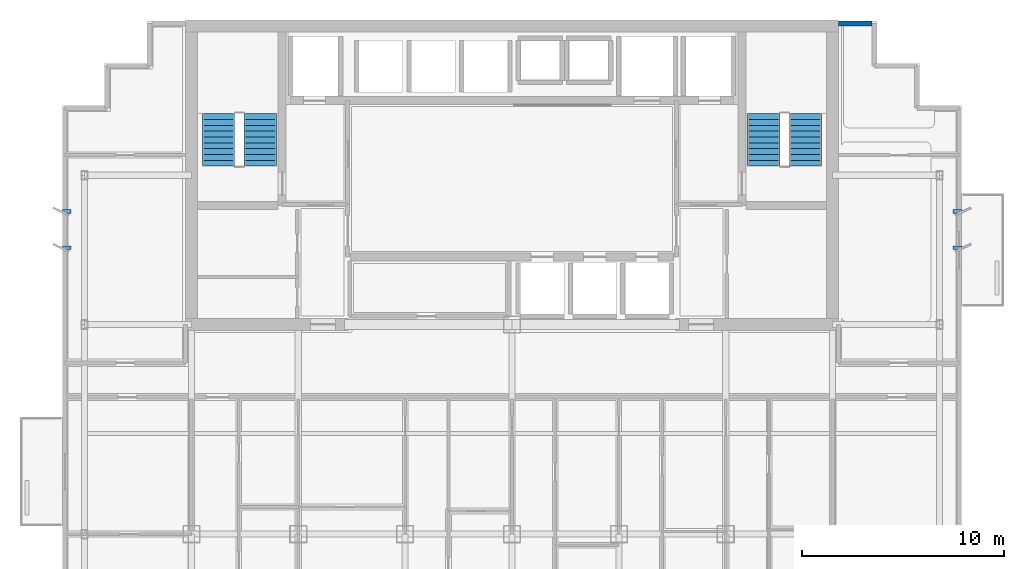
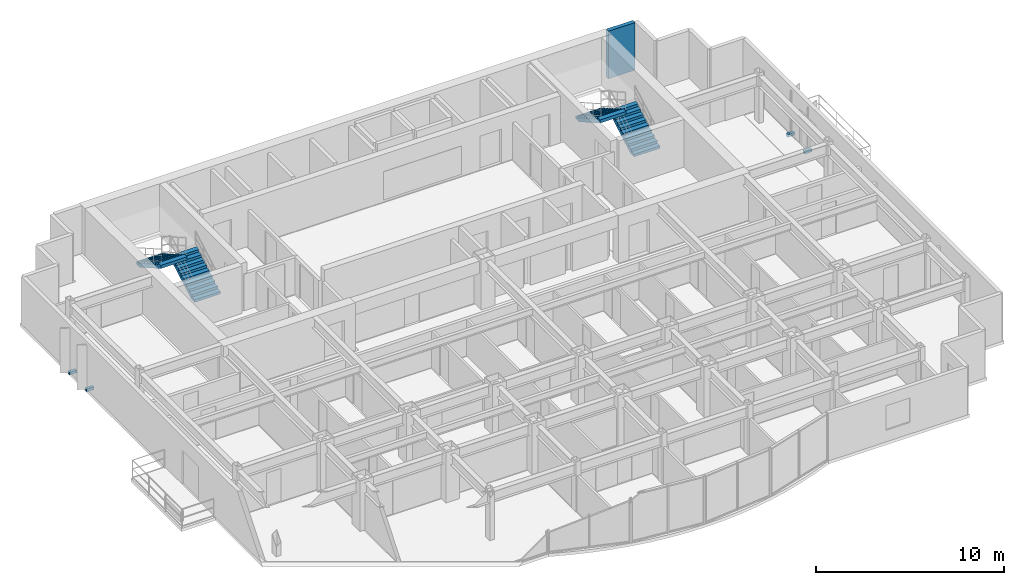
# One storey, part 9 of 11: 4 discrete accessories, 4 stair flights, 1 wall, 2 elements without a shape of their own.
"""IFC4 building model written with IfcOpenShell, lengths in metres."""

from ifc_helpers import new_model, si_unit, direction, frame, frame_2d, origin, origin_2d, place, context, subcontext, project, spatial, polyline, rectangle, outline, extrude, source, transform, mapped, material, layer, layer_set, type_object, element, aggregate, save


model = new_model("IFC4")

# Units and contexts
model_context = context("Model", 3, precision=1e-05, world=origin(), true_north=direction((0.0, 1.0)))
body_context = subcontext(model_context, "Body", "Model", "MODEL_VIEW")
ifc_project = project(units=[si_unit("LENGTHUNIT", "METRE"), si_unit("AREAUNIT", "SQUARE_METRE"), si_unit("VOLUMEUNIT", "CUBIC_METRE"), si_unit("PLANEANGLEUNIT", "RADIAN"), si_unit("MASSUNIT", "GRAM", prefix="KILO")], contexts=[model_context])

# Site, building, storey
site_placement = place(None, origin())
site = spatial("IfcSite", under=ifc_project, at=site_placement, CompositionType="ELEMENT")
building_placement = place(site_placement, origin())
building = spatial("IfcBuilding", under=site, at=building_placement, Name="Qianlan Lanfeng Residences", CompositionType="ELEMENT")
storey_placement = place(building_placement, frame((0.0, 0.0, 175.5)))
storey = spatial("IfcBuildingStorey", under=building, at=storey_placement, Name="L48", CompositionType="ELEMENT", Elevation=175.5)

# Wall
ifc_material_1 = material(Name="Concrete C42", Category="concrete")
ifc_layer = layer(ifc_material_1, 0.239990234375)
ifc_layer_set = layer_set([ifc_layer], Name="Concrete C42")
wall_type = type_object("IfcWallType", Name="EW-240", PredefinedType="SOLIDWALL", material=ifc_layer_set)
wall_placement = place(storey_placement, frame((44.35009765625, 40.1298828125, 0.0), z_axis=(0.0, 0.0, 1.0), x_axis=(-1.0, 0.0, 0.0)))
element("IfcWall", 1, at=wall_placement, inside=storey, type_object=wall_type, Name="L48 North Wing Exterior Wall E", PredefinedType="SOLIDWALL", context=body_context, shape_type="SweptSolid", body=[
    extrude(rectangle(XDim=1.650146484375, YDim=0.239990234375, at=frame_2d((0.8251953125, 0.0))), origin(), (0.0, 0.0, 1.0), 3.10009765625),
])

# Stair, stair flights
stair_type = type_object("IfcStairType", Name="STR-MAIN", PredefinedType="HALF_TURN_STAIR", material=ifc_material_1)
stair_1_placement = place(storey_placement, origin())
stair_1 = element("IfcStair", 2, at=stair_1_placement, inside=storey, type_object=stair_type, Name="L48 Exit Stair ST-1", PredefinedType="HALF_TURN_STAIR")
stair_flight_type = type_object("IfcStairFlightType", Name="FLT-1720", PredefinedType="STRAIGHT", material=ifc_material_1)
stair_flight_1_placement = place(storey_placement, frame((14.02001953125, 33.050048828125, 0.0), z_axis=(0.0, 0.0, 1.0), x_axis=(0.0, 1.0, 0.0)))
stair_flight_1 = element("IfcStairFlight", 3, at=stair_flight_1_placement, type_object=stair_flight_type, Name="ST-1 flight 1", NumberOfRisers=10, NumberOfTreads=9, PredefinedType="STRAIGHT", RiserHeight=0.165, TreadLength=0.29, context=body_context, shape_type="SweptSolid", body=[
    extrude(outline(polyline([(0.0, 0.0), (0.0, 0.1650390625), (0.2900390625, 0.1650390625), (0.2900390625, 0.330078125), (0.580078125, 0.330078125), (0.580078125, 0.4951171875), (0.8701171875, 0.4951171875), (0.8701171875, 0.659912109375), (1.159912109375, 0.659912109375), (1.159912109375, 0.824951171875), (1.449951171875, 0.824951171875), (1.449951171875, 0.989990234375), (1.739990234375, 0.989990234375), (1.739990234375, 1.155029296875), (2.030029296875, 1.155029296875), (2.030029296875, 1.320068359375), (2.320068359375, 1.320068359375), (2.320068359375, 1.485107421875), (2.610107421875, 1.485107421875), (2.610107421875, 1.64990234375), (2.610107421875, 1.278076171875), (0.36376953125, 0.0), (0.0, 0.0)])), frame((0.0, 0.800048828125, 0.0), z_axis=(0.0, -1.0, 0.0), x_axis=(1.0, 0.0, 0.0)), (0.0, 0.0, 1.0), 1.60009765625),
])
stair_flight_2_placement = place(storey_placement, frame((11.93994140625, 35.659912109375, 1.64990234375), z_axis=(0.0, 0.0, 1.0), x_axis=(0.0, -1.0, 0.0)))
stair_flight_2 = element("IfcStairFlight", 4, at=stair_flight_2_placement, type_object=stair_flight_type, Name="ST-1 flight 2", NumberOfRisers=10, NumberOfTreads=9, PredefinedType="STRAIGHT", RiserHeight=0.165, TreadLength=0.29, context=body_context, shape_type="SweptSolid", body=[
    extrude(outline(polyline([(0.0, 0.0), (0.0, 0.1650390625), (0.2900390625, 0.1650390625), (0.2900390625, 0.330078125), (0.580078125, 0.330078125), (0.580078125, 0.4951171875), (0.8701171875, 0.4951171875), (0.8701171875, 0.659912109375), (1.159912109375, 0.659912109375), (1.159912109375, 0.824951171875), (1.449951171875, 0.824951171875), (1.449951171875, 0.989990234375), (1.739990234375, 0.989990234375), (1.739990234375, 1.155029296875), (2.030029296875, 1.155029296875), (2.030029296875, 1.320068359375), (2.320068359375, 1.320068359375), (2.320068359375, 1.485107421875), (2.610107421875, 1.485107421875), (2.610107421875, 1.64990234375), (2.610107421875, 1.278076171875), (0.36376953125, 0.0), (0.0, 0.0)])), frame((0.0, 0.800048828125, 0.0), z_axis=(0.0, -1.0, 0.0), x_axis=(1.0, 0.0, 0.0)), (0.0, 0.0, 1.0), 1.60009765625),
])
aggregate(stair_1, [stair_flight_1, stair_flight_2])

stair_2_placement = place(storey_placement, origin())
stair_2 = element("IfcStair", 5, at=stair_2_placement, inside=storey, type_object=stair_type, Name="L48 Exit Stair ST-2", PredefinedType="HALF_TURN_STAIR")
stair_flight_3_placement = place(storey_placement, frame((41.06005859375, 33.050048828125, 0.0), z_axis=(0.0, 0.0, 1.0), x_axis=(0.0, 1.0, 0.0)))
stair_flight_3 = element("IfcStairFlight", 6, at=stair_flight_3_placement, type_object=stair_flight_type, Name="ST-2 flight 1", NumberOfRisers=10, NumberOfTreads=9, PredefinedType="STRAIGHT", RiserHeight=0.165, TreadLength=0.29, context=body_context, shape_type="SweptSolid", body=[
    extrude(outline(polyline([(0.0, 0.0), (0.0, 0.1650390625), (0.2900390625, 0.1650390625), (0.2900390625, 0.330078125), (0.580078125, 0.330078125), (0.580078125, 0.4951171875), (0.8701171875, 0.4951171875), (0.8701171875, 0.659912109375), (1.159912109375, 0.659912109375), (1.159912109375, 0.824951171875), (1.449951171875, 0.824951171875), (1.449951171875, 0.989990234375), (1.739990234375, 0.989990234375), (1.739990234375, 1.155029296875), (2.030029296875, 1.155029296875), (2.030029296875, 1.320068359375), (2.320068359375, 1.320068359375), (2.320068359375, 1.485107421875), (2.610107421875, 1.485107421875), (2.610107421875, 1.64990234375), (2.610107421875, 1.278076171875), (0.36376953125, 0.0), (0.0, 0.0)])), frame((0.0, 0.800048828125, 0.0), z_axis=(0.0, -1.0, 0.0), x_axis=(1.0, 0.0, 0.0)), (0.0, 0.0, 1.0), 1.60009765625),
])
stair_flight_4_placement = place(storey_placement, frame((38.97998046875, 35.659912109375, 1.64990234375), z_axis=(0.0, 0.0, 1.0), x_axis=(0.0, -1.0, 0.0)))
stair_flight_4 = element("IfcStairFlight", 7, at=stair_flight_4_placement, type_object=stair_flight_type, Name="ST-2 flight 2", NumberOfRisers=10, NumberOfTreads=9, PredefinedType="STRAIGHT", RiserHeight=0.165, TreadLength=0.29, context=body_context, shape_type="SweptSolid", body=[
    extrude(outline(polyline([(0.0, 0.0), (0.0, 0.1650390625), (0.2900390625, 0.1650390625), (0.2900390625, 0.330078125), (0.580078125, 0.330078125), (0.580078125, 0.4951171875), (0.8701171875, 0.4951171875), (0.8701171875, 0.659912109375), (1.159912109375, 0.659912109375), (1.159912109375, 0.824951171875), (1.449951171875, 0.824951171875), (1.449951171875, 0.989990234375), (1.739990234375, 0.989990234375), (1.739990234375, 1.155029296875), (2.030029296875, 1.155029296875), (2.030029296875, 1.320068359375), (2.320068359375, 1.320068359375), (2.320068359375, 1.485107421875), (2.610107421875, 1.485107421875), (2.610107421875, 1.64990234375), (2.610107421875, 1.278076171875), (0.36376953125, 0.0), (0.0, 0.0)])), frame((0.0, 0.800048828125, 0.0), z_axis=(0.0, -1.0, 0.0), x_axis=(1.0, 0.0, 0.0)), (0.0, 0.0, 1.0), 1.60009765625),
])
aggregate(stair_2, [stair_flight_3, stair_flight_4])

# Discrete accessories
ifc_material_2 = material(Name="Stainless Steel Facade Bracket", Category="steel")
discrete_accessory_type = type_object("IfcDiscreteAccessoryType", Name="BRK-SS-350", PredefinedType="BRACKET", material=ifc_material_2)
shared_shape = source(origin(), body_context, "Body", "SweptSolid", [
    extrude(rectangle(XDim=0.449951171875, YDim=0.179931640625, at=origin_2d()), origin(), (0.0, 0.0, 1.0), 0.179931640625),
])
for number, where, z_axis, x_axis, name in (
    (8, (4.39990234375, 29.0, -0.14990234375), (0.0, 0.0, 1.0), (1.0, 0.0, 0.0), "L48 Raked Solar Fin Support Bracket W1"),
    (9, (4.39990234375, 30.800048828125, -0.14990234375), (0.0, 0.0, 1.0), (1.0, 0.0, 0.0), "L48 Raked Solar Fin Support Bracket W2"),
    (10, (48.60009765625, 29.0, -0.14990234375), (0.0, 0.0, 1.0), (1.0, 0.0, 0.0), "L48 Raked Solar Fin Support Bracket E1"),
    (11, (48.60009765625, 30.800048828125, -0.14990234375), (0.0, 0.0, 1.0), (1.0, 0.0, 0.0), "L48 Raked Solar Fin Support Bracket E2"),
):
    element("IfcDiscreteAccessory", number, at=place(storey_placement, frame(where, z_axis=z_axis, x_axis=x_axis)), inside=storey, type_object=discrete_accessory_type, Name=name, PredefinedType="BRACKET", context=body_context, shape_type="MappedRepresentation", body=[
        mapped(shared_shape, transform((0.0, 0.0, 0.0), scale=1.0)),
    ])

save(model, "model.ifc")
